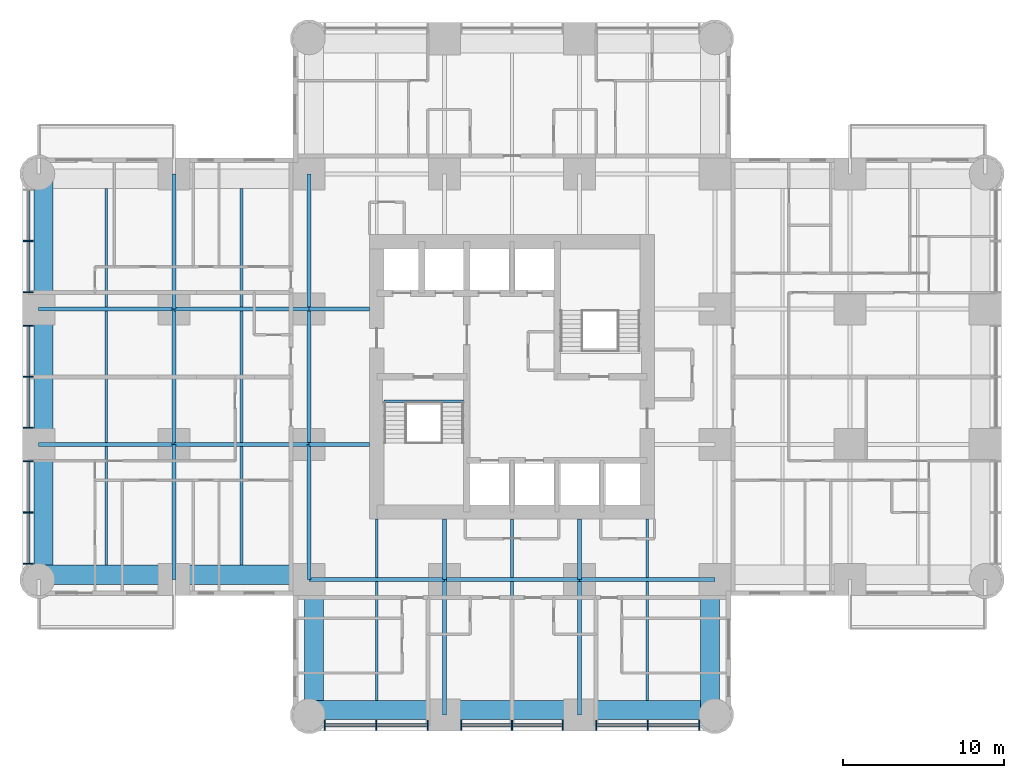
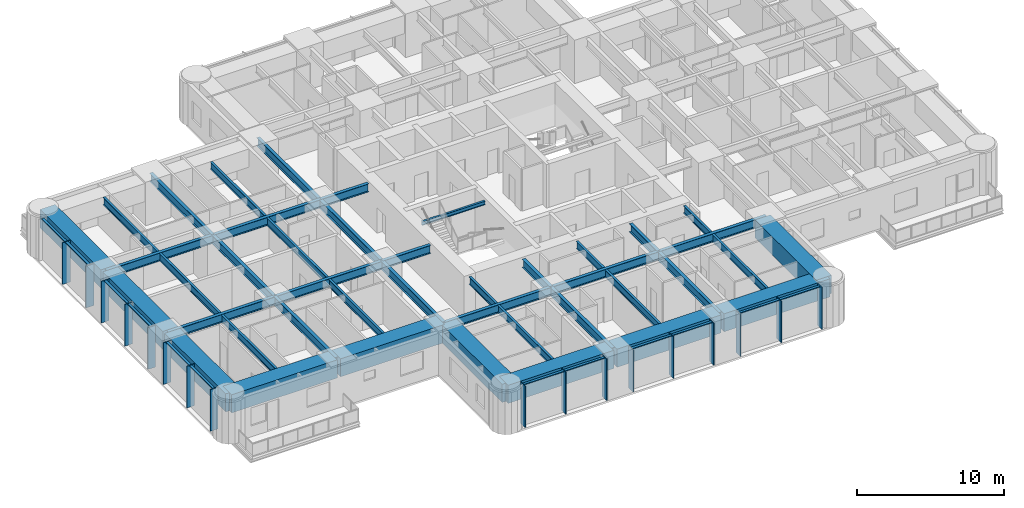
# One storey, part 2 of 14: 42 beams, 29 members, 2 elements without a shape of their own.
"""IFC4 building model written with IfcOpenShell, lengths in metres."""

from ifc_helpers import new_model, si_unit, direction, frame, origin, origin_2d, place, context, subcontext, project, spatial, rectangle, i_section, extrude, material, material_profile, profile_set, type_object, element, aggregate, save


model = new_model("IFC4")

# Units and contexts
model_context = context("Model", 3, precision=1e-05, world=origin(), true_north=direction((0.0, 1.0)))
body_context = subcontext(model_context, "Body", "Model", "MODEL_VIEW")
ifc_project = project(units=[si_unit("LENGTHUNIT", "METRE"), si_unit("AREAUNIT", "SQUARE_METRE"), si_unit("VOLUMEUNIT", "CUBIC_METRE"), si_unit("PLANEANGLEUNIT", "RADIAN"), si_unit("MASSUNIT", "GRAM", prefix="KILO")], contexts=[model_context])

# Site, building, storey
site_placement = place(None, origin())
site = spatial("IfcSite", under=ifc_project, at=site_placement, CompositionType="ELEMENT")
building_placement = place(site_placement, origin())
building = spatial("IfcBuilding", under=site, at=building_placement, Name="Torre Alcanfor", CompositionType="ELEMENT")
storey_placement = place(building_placement, frame((0.0, 0.0, 112.5)))
storey = spatial("IfcBuildingStorey", under=building, at=storey_placement, Name="L28", CompositionType="ELEMENT", Elevation=112.5)

# Curtain wall, members
ifc_material_1 = material(Name="Aluminium and glass", Category="aluminium")
curtain_wall_type = type_object("IfcCurtainWallType", Name="CW-A unitised apartment glazing with vertical FIN", PredefinedType="NOTDEFINED", material=ifc_material_1)
curtain_wall_1_placement = place(storey_placement, origin())
curtain_wall_1 = element("IfcCurtainWall", 1, at=curtain_wall_1_placement, inside=storey, type_object=curtain_wall_type, Name="Curtain wall CW-A L28 2", PredefinedType="NOTDEFINED")
ifc_material_2 = material(Name="Bronze anodised aluminium", Category="aluminium")
ifc_material_profile_1 = material_profile(ifc_material_2, rectangle(XDim=0.60009765625, YDim=0.06494140625, at=origin_2d()), Name="CW-A mullion 65x600")
ifc_profile_set_1 = profile_set([ifc_material_profile_1], Name="Bronze anodised aluminium")
member_type_1 = type_object("IfcMemberType", Name="CW-A mullion with vertical FIN 65x600", PredefinedType="MULLION", material=ifc_profile_set_1)
member_1_placement = place(storey_placement, frame((-0.64990234375, 37.83154296875, 0.0), z_axis=(0.0, 0.0, 1.0), x_axis=(1.0, 0.0, 0.0)))
member_1 = element("IfcMember", 2, at=member_1_placement, type_object=member_type_1, Name="CW-A mullion 1.2", PredefinedType="MULLION", context=body_context, shape_type="SweptSolid", body=[
    extrude(rectangle(XDim=0.60009765625, YDim=0.06494140625, at=origin_2d()), origin(), (0.0, 0.0, 1.0), 3.449951171875),
])
member_2_placement = place(storey_placement, frame((-0.64990234375, 34.637451171875, 0.0), z_axis=(0.0, 0.0, 1.0), x_axis=(1.0, 0.0, 0.0)))
member_2 = element("IfcMember", 3, at=member_2_placement, type_object=member_type_1, Name="CW-A mullion 1.3", PredefinedType="MULLION", context=body_context, shape_type="SweptSolid", body=[
    extrude(rectangle(XDim=0.60009765625, YDim=0.06494140625, at=origin_2d()), origin(), (0.0, 0.0, 1.0), 3.449951171875),
])
member_3_placement = place(storey_placement, frame((-0.64990234375, 32.5625, 0.0), z_axis=(0.0, 0.0, 1.0), x_axis=(1.0, 0.0, 0.0)))
member_3 = element("IfcMember", 4, at=member_3_placement, type_object=member_type_1, Name="CW-A mullion 2.1", PredefinedType="MULLION", context=body_context, shape_type="SweptSolid", body=[
    extrude(rectangle(XDim=0.60009765625, YDim=0.06494140625, at=origin_2d()), origin(), (0.0, 0.0, 1.0), 3.449951171875),
])
member_4_placement = place(storey_placement, frame((-0.64990234375, 29.39990234375, 0.0), z_axis=(0.0, 0.0, 1.0), x_axis=(1.0, 0.0, 0.0)))
member_4 = element("IfcMember", 5, at=member_4_placement, type_object=member_type_1, Name="CW-A mullion 2.2", PredefinedType="MULLION", context=body_context, shape_type="SweptSolid", body=[
    extrude(rectangle(XDim=0.60009765625, YDim=0.06494140625, at=origin_2d()), origin(), (0.0, 0.0, 1.0), 3.449951171875),
])
member_5_placement = place(storey_placement, frame((-0.64990234375, 26.237548828125, 0.0), z_axis=(0.0, 0.0, 1.0), x_axis=(1.0, 0.0, 0.0)))
member_5 = element("IfcMember", 6, at=member_5_placement, type_object=member_type_1, Name="CW-A mullion 2.3", PredefinedType="MULLION", context=body_context, shape_type="SweptSolid", body=[
    extrude(rectangle(XDim=0.60009765625, YDim=0.06494140625, at=origin_2d()), origin(), (0.0, 0.0, 1.0), 3.449951171875),
])
member_6_placement = place(storey_placement, frame((-0.64990234375, 24.16259765625, 0.0), z_axis=(0.0, 0.0, 1.0), x_axis=(1.0, 0.0, 0.0)))
member_6 = element("IfcMember", 7, at=member_6_placement, type_object=member_type_1, Name="CW-A mullion 3.1", PredefinedType="MULLION", context=body_context, shape_type="SweptSolid", body=[
    extrude(rectangle(XDim=0.60009765625, YDim=0.06494140625, at=origin_2d()), origin(), (0.0, 0.0, 1.0), 3.449951171875),
])
member_7_placement = place(storey_placement, frame((-0.64990234375, 20.968505859375, 0.0), z_axis=(0.0, 0.0, 1.0), x_axis=(1.0, 0.0, 0.0)))
member_7 = element("IfcMember", 8, at=member_7_placement, type_object=member_type_1, Name="CW-A mullion 3.2", PredefinedType="MULLION", context=body_context, shape_type="SweptSolid", body=[
    extrude(rectangle(XDim=0.60009765625, YDim=0.06494140625, at=origin_2d()), origin(), (0.0, 0.0, 1.0), 3.449951171875),
])
member_8_placement = place(storey_placement, frame((-0.64990234375, 17.7744140625, 0.0), z_axis=(0.0, 0.0, 1.0), x_axis=(1.0, 0.0, 0.0)))
member_8 = element("IfcMember", 9, at=member_8_placement, type_object=member_type_1, Name="CW-A mullion 3.3", PredefinedType="MULLION", context=body_context, shape_type="SweptSolid", body=[
    extrude(rectangle(XDim=0.60009765625, YDim=0.06494140625, at=origin_2d()), origin(), (0.0, 0.0, 1.0), 3.449951171875),
])

curtain_wall_2_placement = place(storey_placement, origin())
curtain_wall_2 = element("IfcCurtainWall", 10, at=curtain_wall_2_placement, inside=storey, type_object=curtain_wall_type, Name="Curtain wall CW-A L28 5", PredefinedType="NOTDEFINED")
member_9_placement = place(storey_placement, frame((17.7744140625, 7.75, 0.0), z_axis=(0.0, 0.0, 1.0), x_axis=(0.0, 1.0, 0.0)))
member_9 = element("IfcMember", 11, at=member_9_placement, type_object=member_type_1, Name="CW-A mullion 1.1", PredefinedType="MULLION", context=body_context, shape_type="SweptSolid", body=[
    extrude(rectangle(XDim=0.60009765625, YDim=0.06494140625, at=origin_2d()), origin(), (0.0, 0.0, 1.0), 3.449951171875),
])
member_10_placement = place(storey_placement, frame((20.968505859375, 7.75, 0.0), z_axis=(0.0, 0.0, 1.0), x_axis=(0.0, 1.0, 0.0)))
member_10 = element("IfcMember", 12, at=member_10_placement, type_object=member_type_1, Name="CW-A mullion 1.2", PredefinedType="MULLION", context=body_context, shape_type="SweptSolid", body=[
    extrude(rectangle(XDim=0.60009765625, YDim=0.06494140625, at=origin_2d()), origin(), (0.0, 0.0, 1.0), 3.449951171875),
])
member_11_placement = place(storey_placement, frame((24.16259765625, 7.75, 0.0), z_axis=(0.0, 0.0, 1.0), x_axis=(0.0, 1.0, 0.0)))
member_11 = element("IfcMember", 13, at=member_11_placement, type_object=member_type_1, Name="CW-A mullion 1.3", PredefinedType="MULLION", context=body_context, shape_type="SweptSolid", body=[
    extrude(rectangle(XDim=0.60009765625, YDim=0.06494140625, at=origin_2d()), origin(), (0.0, 0.0, 1.0), 3.449951171875),
])
member_12_placement = place(storey_placement, frame((26.237548828125, 7.75, 0.0), z_axis=(0.0, 0.0, 1.0), x_axis=(0.0, 1.0, 0.0)))
member_12 = element("IfcMember", 14, at=member_12_placement, type_object=member_type_1, Name="CW-A mullion 2.1", PredefinedType="MULLION", context=body_context, shape_type="SweptSolid", body=[
    extrude(rectangle(XDim=0.60009765625, YDim=0.06494140625, at=origin_2d()), origin(), (0.0, 0.0, 1.0), 3.449951171875),
])
member_13_placement = place(storey_placement, frame((29.39990234375, 7.75, 0.0), z_axis=(0.0, 0.0, 1.0), x_axis=(0.0, 1.0, 0.0)))
member_13 = element("IfcMember", 15, at=member_13_placement, type_object=member_type_1, Name="CW-A mullion 2.2", PredefinedType="MULLION", context=body_context, shape_type="SweptSolid", body=[
    extrude(rectangle(XDim=0.60009765625, YDim=0.06494140625, at=origin_2d()), origin(), (0.0, 0.0, 1.0), 3.449951171875),
])
member_14_placement = place(storey_placement, frame((32.5625, 7.75, 0.0), z_axis=(0.0, 0.0, 1.0), x_axis=(0.0, 1.0, 0.0)))
member_14 = element("IfcMember", 16, at=member_14_placement, type_object=member_type_1, Name="CW-A mullion 2.3", PredefinedType="MULLION", context=body_context, shape_type="SweptSolid", body=[
    extrude(rectangle(XDim=0.60009765625, YDim=0.06494140625, at=origin_2d()), origin(), (0.0, 0.0, 1.0), 3.449951171875),
])
member_15_placement = place(storey_placement, frame((34.637451171875, 7.75, 0.0), z_axis=(0.0, 0.0, 1.0), x_axis=(0.0, 1.0, 0.0)))
member_15 = element("IfcMember", 17, at=member_15_placement, type_object=member_type_1, Name="CW-A mullion 3.1", PredefinedType="MULLION", context=body_context, shape_type="SweptSolid", body=[
    extrude(rectangle(XDim=0.60009765625, YDim=0.06494140625, at=origin_2d()), origin(), (0.0, 0.0, 1.0), 3.449951171875),
])
member_16_placement = place(storey_placement, frame((37.83154296875, 7.75, 0.0), z_axis=(0.0, 0.0, 1.0), x_axis=(0.0, 1.0, 0.0)))
member_16 = element("IfcMember", 18, at=member_16_placement, type_object=member_type_1, Name="CW-A mullion 3.2", PredefinedType="MULLION", context=body_context, shape_type="SweptSolid", body=[
    extrude(rectangle(XDim=0.60009765625, YDim=0.06494140625, at=origin_2d()), origin(), (0.0, 0.0, 1.0), 3.449951171875),
])
member_17_placement = place(storey_placement, frame((41.025390625, 7.75, 0.0), z_axis=(0.0, 0.0, 1.0), x_axis=(0.0, 1.0, 0.0)))
member_17 = element("IfcMember", 19, at=member_17_placement, type_object=member_type_1, Name="CW-A mullion 3.3", PredefinedType="MULLION", context=body_context, shape_type="SweptSolid", body=[
    extrude(rectangle(XDim=0.60009765625, YDim=0.06494140625, at=origin_2d()), origin(), (0.0, 0.0, 1.0), 3.449951171875),
])

# Member
ifc_material_3 = material(Name="Extruded aluminium", Category="aluminium")
ifc_material_profile_2 = material_profile(ifc_material_3, rectangle(XDim=0.199951171875, YDim=0.06494140625, at=origin_2d()), Name="CW-A transom 200x65")
ifc_profile_set_2 = profile_set([ifc_material_profile_2], Name="Extruded aluminium")
member_type_2 = type_object("IfcMemberType", Name="CW-A transom 65x200", PredefinedType="USERDEFINED", material=ifc_profile_set_2)
member_18_placement = place(storey_placement, frame((-0.64990234375, 40.992919921875, 3.41748046875), z_axis=(0.0, -1.0, 0.0), x_axis=(1.0, 0.0, 0.0)))
member_18 = element("IfcMember", 20, at=member_18_placement, type_object=member_type_2, Name="CW-A transom 1.1.2", ObjectType="TRANSOM", PredefinedType="USERDEFINED", context=body_context, shape_type="SweptSolid", body=[
    extrude(rectangle(XDim=0.199951171875, YDim=0.06494140625, at=origin_2d()), origin(), (0.0, 0.0, 1.0), 3.12890625),
])

member_19_placement = place(storey_placement, frame((-0.64990234375, 37.799072265625, 3.41748046875), z_axis=(0.0, -1.0, 0.0), x_axis=(1.0, 0.0, 0.0)))
member_19 = element("IfcMember", 21, at=member_19_placement, type_object=member_type_2, Name="CW-A transom 1.2.2", ObjectType="TRANSOM", PredefinedType="USERDEFINED", context=body_context, shape_type="SweptSolid", body=[
    extrude(rectangle(XDim=0.199951171875, YDim=0.06494140625, at=origin_2d()), origin(), (0.0, 0.0, 1.0), 3.129150390625),
])

member_20_placement = place(storey_placement, frame((-0.64990234375, 32.530029296875, 3.41748046875), z_axis=(0.0, -1.0, 0.0), x_axis=(1.0, 0.0, 0.0)))
member_20 = element("IfcMember", 22, at=member_20_placement, type_object=member_type_2, Name="CW-A transom 2.1.2", ObjectType="TRANSOM", PredefinedType="USERDEFINED", context=body_context, shape_type="SweptSolid", body=[
    extrude(rectangle(XDim=0.199951171875, YDim=0.06494140625, at=origin_2d()), origin(), (0.0, 0.0, 1.0), 3.097412109375),
])

member_21_placement = place(storey_placement, frame((-0.64990234375, 29.367431640625, 3.41748046875), z_axis=(0.0, -1.0, 0.0), x_axis=(1.0, 0.0, 0.0)))
member_21 = element("IfcMember", 23, at=member_21_placement, type_object=member_type_2, Name="CW-A transom 2.2.2", ObjectType="TRANSOM", PredefinedType="USERDEFINED", context=body_context, shape_type="SweptSolid", body=[
    extrude(rectangle(XDim=0.199951171875, YDim=0.06494140625, at=origin_2d()), origin(), (0.0, 0.0, 1.0), 3.097412109375),
])

member_22_placement = place(storey_placement, frame((-0.64990234375, 24.1298828125, 3.41748046875), z_axis=(0.0, -1.0, 0.0), x_axis=(1.0, 0.0, 0.0)))
member_22 = element("IfcMember", 24, at=member_22_placement, type_object=member_type_2, Name="CW-A transom 3.1.2", ObjectType="TRANSOM", PredefinedType="USERDEFINED", context=body_context, shape_type="SweptSolid", body=[
    extrude(rectangle(XDim=0.199951171875, YDim=0.06494140625, at=origin_2d()), origin(), (0.0, 0.0, 1.0), 3.12890625),
])

member_23_placement = place(storey_placement, frame((-0.64990234375, 20.93603515625, 3.41748046875), z_axis=(0.0, -1.0, 0.0), x_axis=(1.0, 0.0, 0.0)))
member_23 = element("IfcMember", 25, at=member_23_placement, type_object=member_type_2, Name="CW-A transom 3.2.2", ObjectType="TRANSOM", PredefinedType="USERDEFINED", context=body_context, shape_type="SweptSolid", body=[
    extrude(rectangle(XDim=0.199951171875, YDim=0.06494140625, at=origin_2d()), origin(), (0.0, 0.0, 1.0), 3.129150390625),
])

aggregate(curtain_wall_1, [member_1, member_2, member_18, member_19, member_3, member_4, member_5, member_20, member_21, member_6, member_7, member_8, member_22, member_23])

member_24_placement = place(storey_placement, frame((17.806884765625, 7.75, 3.41748046875), z_axis=(1.0, 0.0, 0.0), x_axis=(0.0, 1.0, 0.0)))
member_24 = element("IfcMember", 26, at=member_24_placement, type_object=member_type_2, Name="CW-A transom 1.1.2", ObjectType="TRANSOM", PredefinedType="USERDEFINED", context=body_context, shape_type="SweptSolid", body=[
    extrude(rectangle(XDim=0.199951171875, YDim=0.06494140625, at=origin_2d()), origin(), (0.0, 0.0, 1.0), 3.129150390625),
])

member_25_placement = place(storey_placement, frame((21.0009765625, 7.75, 3.41748046875), z_axis=(1.0, 0.0, 0.0), x_axis=(0.0, 1.0, 0.0)))
member_25 = element("IfcMember", 27, at=member_25_placement, type_object=member_type_2, Name="CW-A transom 1.2.2", ObjectType="TRANSOM", PredefinedType="USERDEFINED", context=body_context, shape_type="SweptSolid", body=[
    extrude(rectangle(XDim=0.199951171875, YDim=0.06494140625, at=origin_2d()), origin(), (0.0, 0.0, 1.0), 3.12890625),
])

member_26_placement = place(storey_placement, frame((26.27001953125, 7.75, 3.41748046875), z_axis=(1.0, 0.0, 0.0), x_axis=(0.0, 1.0, 0.0)))
member_26 = element("IfcMember", 28, at=member_26_placement, type_object=member_type_2, Name="CW-A transom 2.1.2", ObjectType="TRANSOM", PredefinedType="USERDEFINED", context=body_context, shape_type="SweptSolid", body=[
    extrude(rectangle(XDim=0.199951171875, YDim=0.06494140625, at=origin_2d()), origin(), (0.0, 0.0, 1.0), 3.097412109375),
])

member_27_placement = place(storey_placement, frame((29.4326171875, 7.75, 3.41748046875), z_axis=(1.0, 0.0, 0.0), x_axis=(0.0, 1.0, 0.0)))
member_27 = element("IfcMember", 29, at=member_27_placement, type_object=member_type_2, Name="CW-A transom 2.2.2", ObjectType="TRANSOM", PredefinedType="USERDEFINED", context=body_context, shape_type="SweptSolid", body=[
    extrude(rectangle(XDim=0.199951171875, YDim=0.06494140625, at=origin_2d()), origin(), (0.0, 0.0, 1.0), 3.097412109375),
])

member_28_placement = place(storey_placement, frame((34.669921875, 7.75, 3.41748046875), z_axis=(1.0, 0.0, 0.0), x_axis=(0.0, 1.0, 0.0)))
member_28 = element("IfcMember", 30, at=member_28_placement, type_object=member_type_2, Name="CW-A transom 3.1.2", ObjectType="TRANSOM", PredefinedType="USERDEFINED", context=body_context, shape_type="SweptSolid", body=[
    extrude(rectangle(XDim=0.199951171875, YDim=0.06494140625, at=origin_2d()), origin(), (0.0, 0.0, 1.0), 3.129150390625),
])

member_29_placement = place(storey_placement, frame((37.864013671875, 7.75, 3.41748046875), z_axis=(1.0, 0.0, 0.0), x_axis=(0.0, 1.0, 0.0)))
member_29 = element("IfcMember", 31, at=member_29_placement, type_object=member_type_2, Name="CW-A transom 3.2.2", ObjectType="TRANSOM", PredefinedType="USERDEFINED", context=body_context, shape_type="SweptSolid", body=[
    extrude(rectangle(XDim=0.199951171875, YDim=0.06494140625, at=origin_2d()), origin(), (0.0, 0.0, 1.0), 3.12890625),
])

aggregate(curtain_wall_2, [member_9, member_10, member_11, member_24, member_25, member_12, member_13, member_14, member_26, member_27, member_15, member_16, member_17, member_28, member_29])

# Beams
ifc_material_4 = material(Name="Steel ASTM A992 Grade 50", Category="steel")
ifc_material_profile_3 = material_profile(ifc_material_4, i_section(OverallWidth=0.25390625, OverallDepth=0.683349609375, WebThickness=0.012451171875, FlangeThickness=0.01904296875, at=origin_2d()), Name="W27x94")
ifc_profile_set_3 = profile_set([ifc_material_profile_3], Name="Steel ASTM A992 Grade 50")
beam_type_1 = type_object("IfcBeamType", Name="Girder W27x94", PredefinedType="BEAM", material=ifc_profile_set_3)
beam_1_placement = place(storey_placement, frame((16.800048828125, 16.800048828125, 3.1083984375), z_axis=(1.0, 0.0, 0.0), x_axis=(0.0, 1.0, 0.0)))
element("IfcBeam", 32, at=beam_1_placement, inside=storey, type_object=beam_type_1, Name="Beam 3E-4E under L29", PredefinedType="BEAM", context=body_context, shape_type="SweptSolid", body=[
    extrude(i_section(OverallWidth=0.25390625, OverallDepth=0.683349609375, WebThickness=0.012451171875, FlangeThickness=0.01904296875, at=origin_2d()), origin(), (0.0, 0.0, 1.0), 8.39990234375),
])
beam_2_placement = place(storey_placement, frame((25.199951171875, 16.800048828125, 3.1083984375), z_axis=(1.0, 0.0, 0.0), x_axis=(0.0, 1.0, 0.0)))
element("IfcBeam", 33, at=beam_2_placement, inside=storey, type_object=beam_type_1, Name="Beam 4E-5E under L29", PredefinedType="BEAM", context=body_context, shape_type="SweptSolid", body=[
    extrude(i_section(OverallWidth=0.25390625, OverallDepth=0.683349609375, WebThickness=0.012451171875, FlangeThickness=0.01904296875, at=origin_2d()), origin(), (0.0, 0.0, 1.0), 8.400146484375),
])
for number, where, z_axis, x_axis, name in (
    (34, (33.60009765625, 16.800048828125, 3.1083984375), (1.0, 0.0, 0.0), (0.0, 1.0, 0.0), "Beam 5E-6E under L29"),
    (35, (0.0, 25.199951171875, 3.1083984375), (1.0, 0.0, 0.0), (0.0, 1.0, 0.0), "Beam 1F-2F under L29"),
):
    element("IfcBeam", number, at=place(storey_placement, frame(where, z_axis=z_axis, x_axis=x_axis)), inside=storey, type_object=beam_type_1, Name=name, PredefinedType="BEAM", context=body_context, shape_type="SweptSolid", body=[
        extrude(i_section(OverallWidth=0.25390625, OverallDepth=0.683349609375, WebThickness=0.012451171875, FlangeThickness=0.01904296875, at=origin_2d()), origin(), (0.0, 0.0, 1.0), 8.39990234375),
    ])
beam_3_placement = place(storey_placement, frame((8.39990234375, 25.199951171875, 3.1083984375), z_axis=(1.0, 0.0, 0.0), x_axis=(0.0, 1.0, 0.0)))
element("IfcBeam", 36, at=beam_3_placement, inside=storey, type_object=beam_type_1, Name="Beam 2F-3F under L29", PredefinedType="BEAM", context=body_context, shape_type="SweptSolid", body=[
    extrude(i_section(OverallWidth=0.25390625, OverallDepth=0.683349609375, WebThickness=0.012451171875, FlangeThickness=0.01904296875, at=origin_2d()), origin(), (0.0, 0.0, 1.0), 8.400146484375),
])
beam_4_placement = place(storey_placement, frame((0.0, 33.60009765625, 3.1083984375), z_axis=(1.0, 0.0, 0.0), x_axis=(0.0, 1.0, 0.0)))
element("IfcBeam", 37, at=beam_4_placement, inside=storey, type_object=beam_type_1, Name="Beam 1G-2G under L29", PredefinedType="BEAM", context=body_context, shape_type="SweptSolid", body=[
    extrude(i_section(OverallWidth=0.25390625, OverallDepth=0.683349609375, WebThickness=0.012451171875, FlangeThickness=0.01904296875, at=origin_2d()), origin(), (0.0, 0.0, 1.0), 8.39990234375),
])
beam_5_placement = place(storey_placement, frame((8.39990234375, 33.60009765625, 3.1083984375), z_axis=(1.0, 0.0, 0.0), x_axis=(0.0, 1.0, 0.0)))
element("IfcBeam", 38, at=beam_5_placement, inside=storey, type_object=beam_type_1, Name="Beam 2G-3G under L29", PredefinedType="BEAM", context=body_context, shape_type="SweptSolid", body=[
    extrude(i_section(OverallWidth=0.25390625, OverallDepth=0.683349609375, WebThickness=0.012451171875, FlangeThickness=0.01904296875, at=origin_2d()), origin(), (0.0, 0.0, 1.0), 8.400146484375),
])
beam_6_placement = place(storey_placement, frame((8.39990234375, 16.800048828125, 3.1083984375), z_axis=(0.0, 1.0, 0.0), x_axis=(-1.0, 0.0, 0.0)))
element("IfcBeam", 39, at=beam_6_placement, inside=storey, type_object=beam_type_1, Name="Beam 2E-2F under L29", PredefinedType="BEAM", context=body_context, shape_type="SweptSolid", body=[
    extrude(i_section(OverallWidth=0.25390625, OverallDepth=0.683349609375, WebThickness=0.012451171875, FlangeThickness=0.01904296875, at=origin_2d()), origin(), (0.0, 0.0, 1.0), 8.39990234375),
])
beam_7_placement = place(storey_placement, frame((8.39990234375, 25.199951171875, 3.1083984375), z_axis=(0.0, 1.0, 0.0), x_axis=(-1.0, 0.0, 0.0)))
element("IfcBeam", 40, at=beam_7_placement, inside=storey, type_object=beam_type_1, Name="Beam 2F-2G under L29", PredefinedType="BEAM", context=body_context, shape_type="SweptSolid", body=[
    extrude(i_section(OverallWidth=0.25390625, OverallDepth=0.683349609375, WebThickness=0.012451171875, FlangeThickness=0.01904296875, at=origin_2d()), origin(), (0.0, 0.0, 1.0), 8.400146484375),
])
for number, where, z_axis, x_axis, name in (
    (41, (8.39990234375, 33.60009765625, 3.1083984375), (0.0, 1.0, 0.0), (-1.0, 0.0, 0.0), "Beam 2G-2H under L29"),
    (42, (16.800048828125, 16.800048828125, 3.1083984375), (0.0, 1.0, 0.0), (-1.0, 0.0, 0.0), "Beam 3E-3F under L29"),
):
    element("IfcBeam", number, at=place(storey_placement, frame(where, z_axis=z_axis, x_axis=x_axis)), inside=storey, type_object=beam_type_1, Name=name, PredefinedType="BEAM", context=body_context, shape_type="SweptSolid", body=[
        extrude(i_section(OverallWidth=0.25390625, OverallDepth=0.683349609375, WebThickness=0.012451171875, FlangeThickness=0.01904296875, at=origin_2d()), origin(), (0.0, 0.0, 1.0), 8.39990234375),
    ])
beam_8_placement = place(storey_placement, frame((16.800048828125, 25.199951171875, 3.1083984375), z_axis=(0.0, 1.0, 0.0), x_axis=(-1.0, 0.0, 0.0)))
element("IfcBeam", 43, at=beam_8_placement, inside=storey, type_object=beam_type_1, Name="Beam 3F-3G under L29", PredefinedType="BEAM", context=body_context, shape_type="SweptSolid", body=[
    extrude(i_section(OverallWidth=0.25390625, OverallDepth=0.683349609375, WebThickness=0.012451171875, FlangeThickness=0.01904296875, at=origin_2d()), origin(), (0.0, 0.0, 1.0), 8.400146484375),
])
beam_9_placement = place(storey_placement, frame((16.800048828125, 33.60009765625, 3.1083984375), z_axis=(0.0, 1.0, 0.0), x_axis=(-1.0, 0.0, 0.0)))
element("IfcBeam", 44, at=beam_9_placement, inside=storey, type_object=beam_type_1, Name="Beam 3G-3H under L29", PredefinedType="BEAM", context=body_context, shape_type="SweptSolid", body=[
    extrude(i_section(OverallWidth=0.25390625, OverallDepth=0.683349609375, WebThickness=0.012451171875, FlangeThickness=0.01904296875, at=origin_2d()), origin(), (0.0, 0.0, 1.0), 8.39990234375),
])
for number, where, z_axis, x_axis, name in (
    (45, (25.199951171875, 8.39990234375, 3.1083984375), (0.0, 1.0, 0.0), (-1.0, 0.0, 0.0), "Beam 4D-4E under L29"),
    (46, (33.60009765625, 8.39990234375, 3.1083984375), (0.0, 1.0, 0.0), (-1.0, 0.0, 0.0), "Beam 5D-5E under L29"),
):
    element("IfcBeam", number, at=place(storey_placement, frame(where, z_axis=z_axis, x_axis=x_axis)), inside=storey, type_object=beam_type_1, Name=name, PredefinedType="BEAM", context=body_context, shape_type="SweptSolid", body=[
        extrude(i_section(OverallWidth=0.25390625, OverallDepth=0.683349609375, WebThickness=0.012451171875, FlangeThickness=0.01904296875, at=origin_2d()), origin(), (0.0, 0.0, 1.0), 8.400146484375),
    ])
ifc_material_5 = material(Name="Steel ASTM A992 Grade 50", Category="steel")
ifc_material_profile_4 = material_profile(ifc_material_5, i_section(OverallWidth=0.25390625, OverallDepth=0.683349609375, WebThickness=0.012451171875, FlangeThickness=0.01904296875, at=origin_2d()), Name="W27x94")
ifc_profile_set_4 = profile_set([ifc_material_profile_4], Name="Steel ASTM A992 Grade 50")
beam_type_2 = type_object("IfcBeamType", Name="Girder, part bay W27x94", PredefinedType="BEAM", material=ifc_profile_set_4)
for number, where, z_axis, x_axis, name in (
    (47, (25.199951171875, 16.800048828125, 3.1083984375), (0.0, 1.0, 0.0), (-1.0, 0.0, 0.0), "Beam 4E-420_55 under L29"),
    (48, (33.60009765625, 16.800048828125, 3.1083984375), (0.0, 1.0, 0.0), (-1.0, 0.0, 0.0), "Beam 5E-520_55 under L29"),
    (49, (16.800048828125, 25.199951171875, 3.1083984375), (1.0, 0.0, 0.0), (0.0, 1.0, 0.0), "Beam 3F-20_55F under L29"),
    (50, (16.800048828125, 33.60009765625, 3.1083984375), (1.0, 0.0, 0.0), (0.0, 1.0, 0.0), "Beam 3G-20_55G under L29"),
):
    element("IfcBeam", number, at=place(storey_placement, frame(where, z_axis=z_axis, x_axis=x_axis)), inside=storey, type_object=beam_type_2, Name=name, PredefinedType="BEAM", context=body_context, shape_type="SweptSolid", body=[
        extrude(i_section(OverallWidth=0.25390625, OverallDepth=0.683349609375, WebThickness=0.012451171875, FlangeThickness=0.01904296875, at=origin_2d()), origin(), (0.0, 0.0, 1.0), 3.75),
    ])
ifc_material_6 = material(Name="Concrete f'c 70 MPa", Category="concrete")
ifc_material_profile_5 = material_profile(ifc_material_6, rectangle(XDim=1.199951171875, YDim=1.5, at=origin_2d()), Name="1200x1500")
ifc_profile_set_5 = profile_set([ifc_material_profile_5], Name="Concrete f'c 70 MPa")
beam_type_3 = type_object("IfcBeamType", Name="RC perimeter beam 1200x1500", PredefinedType="BEAM", material=ifc_profile_set_5)
beam_10_placement = place(storey_placement, frame((16.800048828125, 8.699951171875, 2.699951171875), z_axis=(1.0, 0.0, 0.0), x_axis=(0.0, 1.0, 0.0)))
element("IfcBeam", 51, at=beam_10_placement, inside=storey, type_object=beam_type_3, Name="Beam 3D-4D under L29", PredefinedType="BEAM", context=body_context, shape_type="SweptSolid", body=[
    extrude(rectangle(XDim=1.199951171875, YDim=1.5, at=origin_2d()), origin(), (0.0, 0.0, 1.0), 8.27294921875),
])
beam_11_placement = place(storey_placement, frame((25.326904296875, 8.699951171875, 2.699951171875), z_axis=(1.0, 0.0, 0.0), x_axis=(0.0, 1.0, 0.0)))
element("IfcBeam", 52, at=beam_11_placement, inside=storey, type_object=beam_type_3, Name="Beam 4D-5D under L29", PredefinedType="BEAM", context=body_context, shape_type="SweptSolid", body=[
    extrude(rectangle(XDim=1.199951171875, YDim=1.5, at=origin_2d()), origin(), (0.0, 0.0, 1.0), 8.14599609375),
])
for number, where, z_axis, x_axis, name in (
    (53, (33.72705078125, 8.699951171875, 2.699951171875), (1.0, 0.0, 0.0), (0.0, 1.0, 0.0), "Beam 5D-6D under L29"),
    (54, (0.0, 17.10009765625, 2.699951171875), (1.0, 0.0, 0.0), (0.0, 1.0, 0.0), "Beam 1E-2E under L29"),
):
    element("IfcBeam", number, at=place(storey_placement, frame(where, z_axis=z_axis, x_axis=x_axis)), inside=storey, type_object=beam_type_3, Name=name, PredefinedType="BEAM", context=body_context, shape_type="SweptSolid", body=[
        extrude(rectangle(XDim=1.199951171875, YDim=1.5, at=origin_2d()), origin(), (0.0, 0.0, 1.0), 8.27294921875),
    ])
beam_12_placement = place(storey_placement, frame((8.527099609375, 17.10009765625, 2.699951171875), z_axis=(1.0, 0.0, 0.0), x_axis=(0.0, 1.0, 0.0)))
element("IfcBeam", 55, at=beam_12_placement, inside=storey, type_object=beam_type_3, Name="Beam 2E-3E under L29", PredefinedType="BEAM", context=body_context, shape_type="SweptSolid", body=[
    extrude(rectangle(XDim=1.199951171875, YDim=1.5, at=origin_2d()), origin(), (0.0, 0.0, 1.0), 8.14599609375),
])
beam_13_placement = place(storey_placement, frame((0.300048828125, 16.800048828125, 2.699951171875), z_axis=(0.0, 1.0, 0.0), x_axis=(-1.0, 0.0, 0.0)))
element("IfcBeam", 56, at=beam_13_placement, inside=storey, type_object=beam_type_3, Name="Beam 1E-1F under L29", PredefinedType="BEAM", context=body_context, shape_type="SweptSolid", body=[
    extrude(rectangle(XDim=1.199951171875, YDim=1.5, at=origin_2d()), origin(), (0.0, 0.0, 1.0), 8.27294921875),
])
beam_14_placement = place(storey_placement, frame((0.300048828125, 25.326904296875, 2.699951171875), z_axis=(0.0, 1.0, 0.0), x_axis=(-1.0, 0.0, 0.0)))
element("IfcBeam", 57, at=beam_14_placement, inside=storey, type_object=beam_type_3, Name="Beam 1F-1G under L29", PredefinedType="BEAM", context=body_context, shape_type="SweptSolid", body=[
    extrude(rectangle(XDim=1.199951171875, YDim=1.5, at=origin_2d()), origin(), (0.0, 0.0, 1.0), 8.14599609375),
])
beam_15_placement = place(storey_placement, frame((0.300048828125, 33.72705078125, 2.699951171875), z_axis=(0.0, 1.0, 0.0), x_axis=(-1.0, 0.0, 0.0)))
element("IfcBeam", 58, at=beam_15_placement, inside=storey, type_object=beam_type_3, Name="Beam 1G-1H under L29", PredefinedType="BEAM", context=body_context, shape_type="SweptSolid", body=[
    extrude(rectangle(XDim=1.199951171875, YDim=1.5, at=origin_2d()), origin(), (0.0, 0.0, 1.0), 8.27294921875),
])
for number, where, z_axis, x_axis, name in (
    (59, (17.10009765625, 8.39990234375, 2.699951171875), (0.0, 1.0, 0.0), (-1.0, 0.0, 0.0), "Beam 3D-3E under L29"),
    (60, (41.699951171875, 8.39990234375, 2.699951171875), (0.0, 1.0, 0.0), (-1.0, 0.0, 0.0), "Beam 6D-6E under L29"),
):
    element("IfcBeam", number, at=place(storey_placement, frame(where, z_axis=z_axis, x_axis=x_axis)), inside=storey, type_object=beam_type_3, Name=name, PredefinedType="BEAM", context=body_context, shape_type="SweptSolid", body=[
        extrude(rectangle(XDim=1.199951171875, YDim=1.5, at=origin_2d()), origin(), (0.0, 0.0, 1.0), 8.273193359375),
    ])
ifc_material_7 = material(Name="Steel ASTM A992 Grade 50", Category="steel")
ifc_material_profile_6 = material_profile(ifc_material_7, i_section(OverallWidth=0.1787109375, OverallDepth=0.60205078125, WebThickness=0.010986328125, FlangeThickness=0.014892578125, at=origin_2d()), Name="W24x62")
ifc_profile_set_6 = profile_set([ifc_material_profile_6], Name="Steel ASTM A992 Grade 50")
beam_type_4 = type_object("IfcBeamType", Name="Secondary beam W24x62", PredefinedType="BEAM", material=ifc_profile_set_6)
beam_16_placement = place(storey_placement, frame((4.199951171875, 17.699951171875, 3.14892578125), z_axis=(0.0, 1.0, 0.0), x_axis=(-1.0, 0.0, 0.0)))
element("IfcBeam", 61, at=beam_16_placement, inside=storey, type_object=beam_type_4, Name="Beam 4_2E-4_2F under L29", PredefinedType="BEAM", context=body_context, shape_type="SweptSolid", body=[
    extrude(i_section(OverallWidth=0.1787109375, OverallDepth=0.60205078125, WebThickness=0.010986328125, FlangeThickness=0.014892578125, at=origin_2d()), origin(), (0.0, 0.0, 1.0), 7.373046875),
])
beam_17_placement = place(storey_placement, frame((4.199951171875, 25.326904296875, 3.14892578125), z_axis=(0.0, 1.0, 0.0), x_axis=(-1.0, 0.0, 0.0)))
element("IfcBeam", 62, at=beam_17_placement, inside=storey, type_object=beam_type_4, Name="Beam 4_2F-4_2G under L29", PredefinedType="BEAM", context=body_context, shape_type="SweptSolid", body=[
    extrude(i_section(OverallWidth=0.1787109375, OverallDepth=0.60205078125, WebThickness=0.010986328125, FlangeThickness=0.014892578125, at=origin_2d()), origin(), (0.0, 0.0, 1.0), 8.14599609375),
])
for number, where, z_axis, x_axis, name in (
    (63, (4.199951171875, 33.72705078125, 3.14892578125), (0.0, 1.0, 0.0), (-1.0, 0.0, 0.0), "Beam 4_2G-4_2H under L29"),
    (64, (12.60009765625, 17.699951171875, 3.14892578125), (0.0, 1.0, 0.0), (-1.0, 0.0, 0.0), "Beam 12_6E-12_6F under L29"),
):
    element("IfcBeam", number, at=place(storey_placement, frame(where, z_axis=z_axis, x_axis=x_axis)), inside=storey, type_object=beam_type_4, Name=name, PredefinedType="BEAM", context=body_context, shape_type="SweptSolid", body=[
        extrude(i_section(OverallWidth=0.1787109375, OverallDepth=0.60205078125, WebThickness=0.010986328125, FlangeThickness=0.014892578125, at=origin_2d()), origin(), (0.0, 0.0, 1.0), 7.373046875),
    ])
beam_18_placement = place(storey_placement, frame((12.60009765625, 25.326904296875, 3.14892578125), z_axis=(0.0, 1.0, 0.0), x_axis=(-1.0, 0.0, 0.0)))
element("IfcBeam", 65, at=beam_18_placement, inside=storey, type_object=beam_type_4, Name="Beam 12_6F-12_6G under L29", PredefinedType="BEAM", context=body_context, shape_type="SweptSolid", body=[
    extrude(i_section(OverallWidth=0.1787109375, OverallDepth=0.60205078125, WebThickness=0.010986328125, FlangeThickness=0.014892578125, at=origin_2d()), origin(), (0.0, 0.0, 1.0), 8.14599609375),
])
for number, where, z_axis, x_axis, name in (
    (66, (12.60009765625, 33.72705078125, 3.14892578125), (0.0, 1.0, 0.0), (-1.0, 0.0, 0.0), "Beam 12_6G-12_6H under L29"),
    (67, (21.0, 9.300048828125, 3.14892578125), (0.0, 1.0, 0.0), (-1.0, 0.0, 0.0), "Beam 21D-21E under L29"),
    (68, (29.39990234375, 9.300048828125, 3.14892578125), (0.0, 1.0, 0.0), (-1.0, 0.0, 0.0), "Beam 29_4D-29_4E under L29"),
    (69, (37.800048828125, 9.300048828125, 3.14892578125), (0.0, 1.0, 0.0), (-1.0, 0.0, 0.0), "Beam 37_8D-37_8E under L29"),
):
    element("IfcBeam", number, at=place(storey_placement, frame(where, z_axis=z_axis, x_axis=x_axis)), inside=storey, type_object=beam_type_4, Name=name, PredefinedType="BEAM", context=body_context, shape_type="SweptSolid", body=[
        extrude(i_section(OverallWidth=0.1787109375, OverallDepth=0.60205078125, WebThickness=0.010986328125, FlangeThickness=0.014892578125, at=origin_2d()), origin(), (0.0, 0.0, 1.0), 7.373046875),
    ])
ifc_material_8 = material(Name="Steel ASTM A992 Grade 50", Category="steel")
ifc_material_profile_7 = material_profile(ifc_material_8, i_section(OverallWidth=0.1787109375, OverallDepth=0.60205078125, WebThickness=0.010986328125, FlangeThickness=0.014892578125, at=origin_2d()), Name="W24x62")
ifc_profile_set_7 = profile_set([ifc_material_profile_7], Name="Steel ASTM A992 Grade 50")
beam_type_5 = type_object("IfcBeamType", Name="Secondary beam, part bay W24x62", PredefinedType="BEAM", material=ifc_profile_set_7)
for number, where, z_axis, x_axis, name in (
    (70, (21.0, 16.927001953125, 3.14892578125), (0.0, 1.0, 0.0), (-1.0, 0.0, 0.0), "Beam 21E-2120_55 under L29"),
    (71, (29.39990234375, 16.927001953125, 3.14892578125), (0.0, 1.0, 0.0), (-1.0, 0.0, 0.0), "Beam 29_4E-29_420_55 under L29"),
    (72, (37.800048828125, 16.927001953125, 3.14892578125), (0.0, 1.0, 0.0), (-1.0, 0.0, 0.0), "Beam 37_8E-37_820_55 under L29"),
):
    element("IfcBeam", number, at=place(storey_placement, frame(where, z_axis=z_axis, x_axis=x_axis)), inside=storey, type_object=beam_type_5, Name=name, PredefinedType="BEAM", context=body_context, shape_type="SweptSolid", body=[
        extrude(i_section(OverallWidth=0.1787109375, OverallDepth=0.60205078125, WebThickness=0.010986328125, FlangeThickness=0.014892578125, at=origin_2d()), origin(), (0.0, 0.0, 1.0), 3.623046875),
    ])
ifc_material_9 = material(Name="Steel ASTM A992 Grade 50", Category="steel")
ifc_material_profile_8 = material_profile(ifc_material_9, i_section(OverallWidth=0.164794921875, OverallDepth=0.309814453125, WebThickness=0.005859375, FlangeThickness=0.009765625, at=origin_2d()), Name="W12x26")
ifc_profile_set_8 = profile_set([ifc_material_profile_8], Name="Steel ASTM A992 Grade 50")
beam_type_6 = type_object("IfcBeamType", Name="Stair landing beam W12x26", PredefinedType="BEAM", material=ifc_profile_set_8)
beam_19_placement = place(storey_placement, frame((21.449951171875, 27.887451171875, 3.2451171875), z_axis=(1.0, 0.0, 0.0), x_axis=(0.0, 1.0, 0.0)))
element("IfcBeam", 73, at=beam_19_placement, inside=storey, type_object=beam_type_6, Name="Landing trimmer S1 L29", PredefinedType="BEAM", context=body_context, shape_type="SweptSolid", body=[
    extrude(i_section(OverallWidth=0.164794921875, OverallDepth=0.309814453125, WebThickness=0.005859375, FlangeThickness=0.009765625, at=origin_2d()), origin(), (0.0, 0.0, 1.0), 4.949951171875),
])

save(model, "model.ifc")
